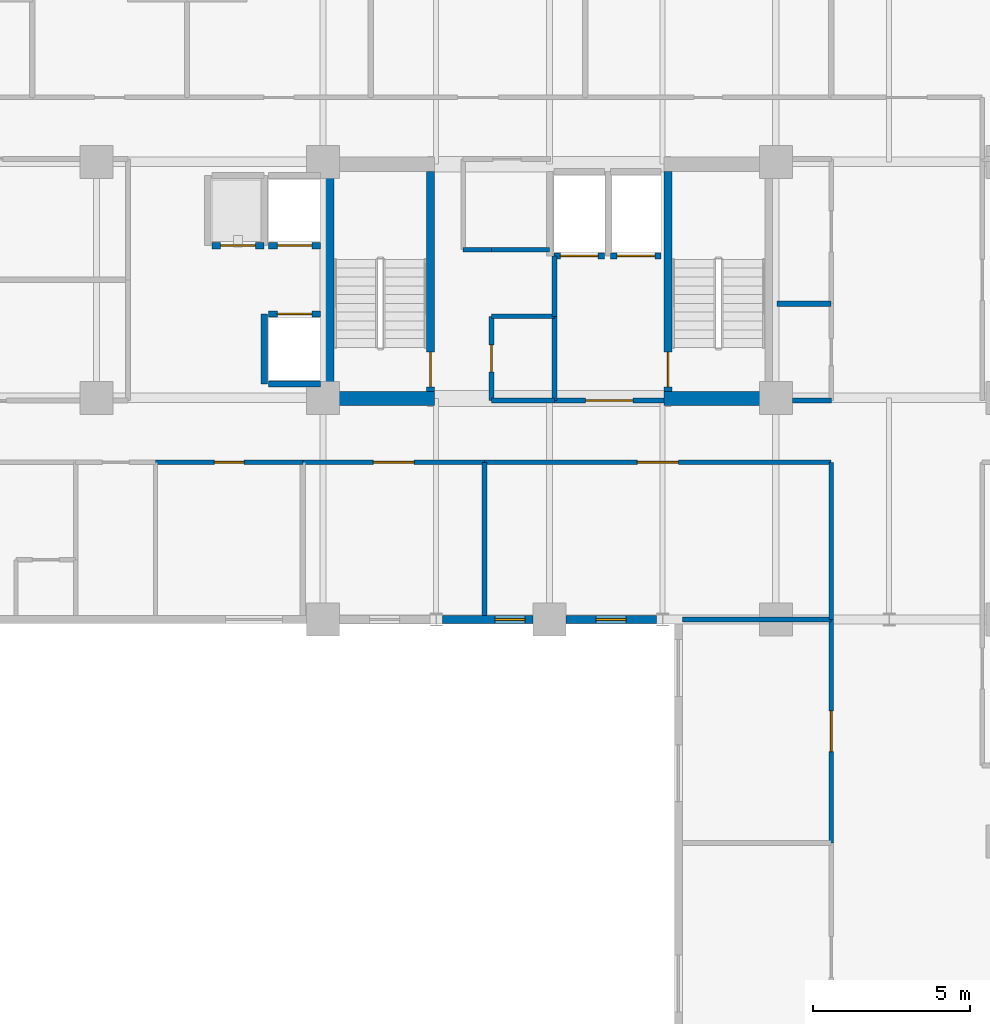
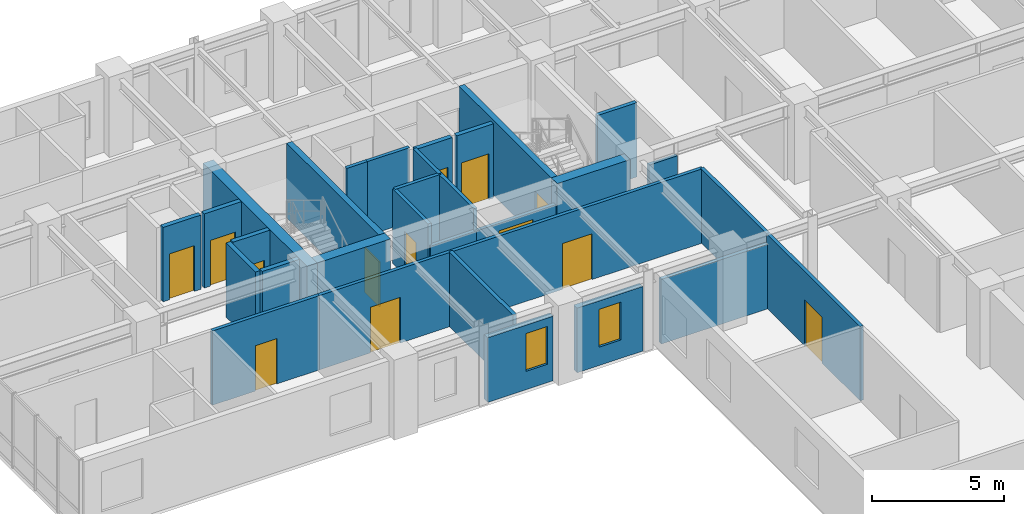
# One storey, part 11 of 20: 31 walls, 13 doors, 2 windows, 15 openings.
"""IFC4 building model written with IfcOpenShell, lengths in metres."""

from ifc_helpers import new_model, si_unit, direction, frame, frame_2d, origin, place, context, subcontext, project, spatial, rectangle, extrude, material, layer, layer_set, type_object, element, fill, save


model = new_model("IFC4")

# Units and contexts
model_context = context("Model", 3, precision=1e-05, world=origin(), true_north=direction((0.0, 1.0)))
body_context = subcontext(model_context, "Body", "Model", "MODEL_VIEW")
ifc_project = project(units=[si_unit("LENGTHUNIT", "METRE"), si_unit("AREAUNIT", "SQUARE_METRE"), si_unit("VOLUMEUNIT", "CUBIC_METRE"), si_unit("PLANEANGLEUNIT", "RADIAN"), si_unit("MASSUNIT", "GRAM", prefix="KILO")], contexts=[model_context])

# Site, building, storey
site_placement = place(None, origin())
site = spatial("IfcSite", under=ifc_project, at=site_placement, CompositionType="ELEMENT")
building_placement = place(site_placement, origin())
building = spatial("IfcBuilding", under=site, at=building_placement, Name="Kaliganga Portal Commons", CompositionType="ELEMENT")
storey_placement = place(building_placement, frame((0.0, 0.0, 155.0)))
storey = spatial("IfcBuildingStorey", under=building, at=storey_placement, Name="L39", CompositionType="ELEMENT", Elevation=155.0)

# Walls
ifc_material_1 = material(Name="Concrete C60/75", Category="concrete")
ifc_layer_1 = layer(ifc_material_1, 0.449951171875)
ifc_layer_set_1 = layer_set([ifc_layer_1], Name="Concrete C60/75")
wall_type_1 = type_object("IfcWallType", Name="WL-CORE-450", PredefinedType="SHEAR", material=ifc_layer_set_1)
wall_1_placement = place(storey_placement, frame((14.52490234375, 28.39990234375, 0.0), z_axis=(0.0, 0.0, 1.0), x_axis=(0.0, 1.0, 0.0)))
element("IfcWall", 1, at=wall_1_placement, inside=storey, type_object=wall_type_1, Name="Core A West Shear Wall L39", PredefinedType="SHEAR", context=body_context, shape_type="SweptSolid", body=[
    extrude(rectangle(XDim=7.900146484375, YDim=0.449951171875, at=frame_2d((3.9501953125, 0.0))), origin(), (0.0, 0.0, 1.0), 3.4599609375),
])
for number, where, z_axis, x_axis, name in (
    (2, (14.75, 28.625, 0.0), (0.0, 0.0, 1.0), (1.0, 0.0, 0.0), "Core A S-West Shear Wall L39"),
    (3, (25.25, 28.625, 0.0), (0.0, 0.0, 1.0), (1.0, 0.0, 0.0), "Core A S-East Shear Wall L39"),
):
    element("IfcWall", number, at=place(storey_placement, frame(where, z_axis=z_axis, x_axis=x_axis)), inside=storey, type_object=wall_type_1, Name=name, PredefinedType="SHEAR", context=body_context, shape_type="SweptSolid", body=[
        extrude(rectangle(XDim=3.199951171875, YDim=0.449951171875, at=frame_2d((1.60009765625, 0.0))), origin(), (0.0, 0.0, 1.0), 3.4599609375),
    ])

# Wall, opening, window
ifc_material_2 = material(Name="Insulated Aluminium-Clad Spandrel Assembly", Category="aluminium")
ifc_layer_2 = layer(ifc_material_2, 0.260009765625)
ifc_layer_set_2 = layer_set([ifc_layer_2], Name="Insulated Aluminium-Clad Spandrel Assembly")
wall_type_2 = type_object("IfcWallType", Name="WL-EXT-SPAND-260", PredefinedType="STANDARD", material=ifc_layer_set_2)
wall_2_placement = place(storey_placement, frame((21.073974609375, 21.60009765625, 0.0), z_axis=(0.0, 0.0, 1.0), x_axis=(-1.0, 0.0, 0.0)))
wall_2 = element("IfcWall", 4, at=wall_2_placement, inside=storey, type_object=wall_type_2, Name="Exterior Envelope Wall L39 P1-E04-S3", PredefinedType="STANDARD", context=body_context, shape_type="SweptSolid", body=[
    extrude(rectangle(XDim=2.87109375, YDim=0.260009765625, at=frame_2d((1.435546875, 0.0))), origin(), (0.0, 0.0, 1.0), 2.989990234375),
])
opening_1_placement = place(wall_2_placement, frame((0.24853515625, 0.0, 0.85009765625)))
opening_1 = element("IfcOpeningElement", 5, at=opening_1_placement, cuts=wall_2, Name="Opening W-04", PredefinedType="OPENING", context=body_context, shape_type="SweptSolid", body=[
    extrude(rectangle(XDim=0.949951171875, YDim=1.75, at=frame_2d((0.47509765625, 0.875))), frame((0.0, 0.14013671875, 0.0), z_axis=(0.0, -1.0, 0.0), x_axis=(1.0, 0.0, 0.0)), (0.0, 0.0, 1.0), 0.280029296875),
])
ifc_material_3 = material(Name="Thermally Broken Aluminium and Low-E Double Glazing", Category="aluminium")
window_type = type_object("IfcWindowType", Name="WIN-NARROW-950", PartitioningType="SINGLE_PANEL", PredefinedType="WINDOW", material=ifc_material_3)
window_1_placement = place(opening_1_placement, origin())
window_1 = element("IfcWindow", 6, at=window_1_placement, inside=storey, type_object=window_type, Name="Facade Window L39-P1E04S3-N1", OverallHeight=1.75, OverallWidth=0.949951171875, PartitioningType="SINGLE_PANEL", PredefinedType="WINDOW", context=body_context, shape_type="SweptSolid", body=[
    extrude(rectangle(XDim=0.949951171875, YDim=1.75, at=frame_2d((0.47509765625, 0.875))), frame((0.0, 0.030029296875, 0.0), z_axis=(0.0, -1.0, 0.0), x_axis=(1.0, 0.0, 0.0)), (0.0, 0.0, 1.0), 0.06005859375),
])
fill(opening_1, window_1)

wall_3_placement = place(storey_placement, frame((24.9970703125, 21.60009765625, 0.0), z_axis=(0.0, 0.0, 1.0), x_axis=(-1.0, 0.0, 0.0)))
wall_3 = element("IfcWall", 7, at=wall_3_placement, inside=storey, type_object=wall_type_2, Name="Exterior Envelope Wall L39 P1-E04-S4", PredefinedType="STANDARD", context=body_context, shape_type="SweptSolid", body=[
    extrude(rectangle(XDim=2.87109375, YDim=0.260009765625, at=frame_2d((1.435546875, 0.0))), origin(), (0.0, 0.0, 1.0), 2.989990234375),
])
opening_2_placement = place(wall_3_placement, frame((0.96044921875, 0.0, 0.85009765625)))
opening_2 = element("IfcOpeningElement", 8, at=opening_2_placement, cuts=wall_3, Name="Opening W-04", PredefinedType="OPENING", context=body_context, shape_type="SweptSolid", body=[
    extrude(rectangle(XDim=0.949951171875, YDim=1.75, at=frame_2d((0.47509765625, 0.875))), frame((0.0, 0.14013671875, 0.0), z_axis=(0.0, -1.0, 0.0), x_axis=(1.0, 0.0, 0.0)), (0.0, 0.0, 1.0), 0.280029296875),
])
window_2_placement = place(opening_2_placement, origin())
window_2 = element("IfcWindow", 9, at=window_2_placement, inside=storey, type_object=window_type, Name="Facade Window L39-P1E04S4-00", OverallHeight=1.75, OverallWidth=0.949951171875, PartitioningType="SINGLE_PANEL", PredefinedType="WINDOW", context=body_context, shape_type="SweptSolid", body=[
    extrude(rectangle(XDim=0.949951171875, YDim=1.75, at=frame_2d((0.47509765625, 0.875))), frame((0.0, 0.030029296875, 0.0), z_axis=(0.0, -1.0, 0.0), x_axis=(1.0, 0.0, 0.0)), (0.0, 0.0, 1.0), 0.06005859375),
])
fill(opening_2, window_2)

# Wall, opening, door
ifc_material_4 = material(Name="Fire-Rated Gypsum Board on Steel Stud", Category="steel")
ifc_layer_3 = layer(ifc_material_4, 0.14990234375)
ifc_layer_set_3 = layer_set([ifc_layer_3], Name="Fire-Rated Gypsum Board on Steel Stud")
wall_type_3 = type_object("IfcWallType", Name="WL-PART-CORR-150", PredefinedType="PARTITIONING", material=ifc_layer_set_3)
wall_4_placement = place(storey_placement, frame((19.5400390625, 26.60009765625, 0.0), z_axis=(0.0, 0.0, 1.0), x_axis=(1.0, 0.0, 0.0)))
wall_4 = element("IfcWall", 10, at=wall_4_placement, inside=storey, type_object=wall_type_3, Name="Interior Partition L39-012", PredefinedType="PARTITIONING", context=body_context, shape_type="SweptSolid", body=[
    extrude(rectangle(XDim=11.02001953125, YDim=0.14990234375, at=frame_2d((5.510009765625, 0.0))), origin(), (0.0, 0.0, 1.0), 3.43994140625),
])
opening_3_placement = place(wall_4_placement, frame((4.860107421875, 0.0, 0.0)))
opening_3 = element("IfcOpeningElement", 11, at=opening_3_placement, cuts=wall_4, Name="Opening RD-03", PredefinedType="OPENING", context=body_context, shape_type="SweptSolid", body=[
    extrude(rectangle(XDim=1.300048828125, YDim=2.1201171875, at=frame_2d((0.64990234375, 1.06005859375))), frame((0.0, 0.0849609375, 0.0), z_axis=(0.0, -1.0, 0.0), x_axis=(1.0, 0.0, 0.0)), (0.0, 0.0, 1.0), 0.169921875),
])
ifc_material_5 = material(Name="Glazed Timber Seminar Vision Door", Category="wood")
door_type_1 = type_object("IfcDoorType", Name="DR-STUDY-1300", OperationType="DOUBLE_DOOR_SINGLE_SWING", PredefinedType="DOOR", material=ifc_material_5)
door_1_placement = place(opening_3_placement, origin())
door_1 = element("IfcDoor", 12, at=door_1_placement, inside=storey, type_object=door_type_1, Name="Interior Door L39-AS05", OperationType="DOUBLE_DOOR_SINGLE_SWING", OverallHeight=2.1201171875, OverallWidth=1.300048828125, PredefinedType="DOOR", context=body_context, shape_type="SweptSolid", body=[
    extrude(rectangle(XDim=1.300048828125, YDim=2.1201171875, at=frame_2d((0.64990234375, 1.06005859375))), frame((0.0, 0.02490234375, 0.0), z_axis=(0.0, -1.0, 0.0), x_axis=(1.0, 0.0, 0.0)), (0.0, 0.0, 1.0), 0.050048828125),
])
fill(opening_3, door_1)

wall_5_placement = place(storey_placement, frame((30.56005859375, 14.5, 0.0), z_axis=(0.0, 0.0, 1.0), x_axis=(0.0, 1.0, 0.0)))
wall_5 = element("IfcWall", 13, at=wall_5_placement, inside=storey, type_object=wall_type_3, Name="Interior Partition L39-024", PredefinedType="PARTITIONING", context=body_context, shape_type="SweptSolid", body=[
    extrude(rectangle(XDim=7.10009765625, YDim=0.14990234375, at=frame_2d((3.550048828125, 0.0))), origin(), (0.0, 0.0, 1.0), 3.43994140625),
])
opening_4_placement = place(wall_5_placement, frame((2.89990234375, 0.0, 0.0)))
opening_4 = element("IfcOpeningElement", 14, at=opening_4_placement, cuts=wall_5, Name="Opening RD-03", PredefinedType="OPENING", context=body_context, shape_type="SweptSolid", body=[
    extrude(rectangle(XDim=1.300048828125, YDim=2.1201171875, at=frame_2d((0.64990234375, 1.06005859375))), frame((0.0, 0.0849609375, 0.0), z_axis=(0.0, -1.0, 0.0), x_axis=(1.0, 0.0, 0.0)), (0.0, 0.0, 1.0), 0.169921875),
])
door_2_placement = place(opening_4_placement, origin())
door_2 = element("IfcDoor", 15, at=door_2_placement, inside=storey, type_object=door_type_1, Name="Interior Door L39-KW02", OperationType="DOUBLE_DOOR_SINGLE_SWING", OverallHeight=2.1201171875, OverallWidth=1.300048828125, PredefinedType="DOOR", context=body_context, shape_type="SweptSolid", body=[
    extrude(rectangle(XDim=1.300048828125, YDim=2.1201171875, at=frame_2d((0.64990234375, 1.06005859375))), frame((0.0, 0.02490234375, 0.0), z_axis=(0.0, -1.0, 0.0), x_axis=(1.0, 0.0, 0.0)), (0.0, 0.0, 1.0), 0.050048828125),
])
fill(opening_4, door_2)

wall_6_placement = place(storey_placement, frame((13.760009765625, 26.60009765625, 0.0), z_axis=(0.0, 0.0, 1.0), x_axis=(1.0, 0.0, 0.0)))
wall_6 = element("IfcWall", 16, at=wall_6_placement, inside=storey, type_object=wall_type_3, Name="Interior Partition L39-030", PredefinedType="PARTITIONING", context=body_context, shape_type="SweptSolid", body=[
    extrude(rectangle(XDim=5.780029296875, YDim=0.14990234375, at=frame_2d((2.89013671875, 0.0))), origin(), (0.0, 0.0, 1.0), 3.43994140625),
])
opening_5_placement = place(wall_6_placement, frame((2.239990234375, 0.0, 0.0)))
opening_5 = element("IfcOpeningElement", 17, at=opening_5_placement, cuts=wall_6, Name="Opening RD-03", PredefinedType="OPENING", context=body_context, shape_type="SweptSolid", body=[
    extrude(rectangle(XDim=1.300048828125, YDim=2.1201171875, at=frame_2d((0.64990234375, 1.06005859375))), frame((0.0, 0.0849609375, 0.0), z_axis=(0.0, -1.0, 0.0), x_axis=(1.0, 0.0, 0.0)), (0.0, 0.0, 1.0), 0.169921875),
])
door_3_placement = place(opening_5_placement, origin())
door_3 = element("IfcDoor", 18, at=door_3_placement, inside=storey, type_object=door_type_1, Name="Interior Door L39-AS04", OperationType="DOUBLE_DOOR_SINGLE_SWING", OverallHeight=2.1201171875, OverallWidth=1.300048828125, PredefinedType="DOOR", context=body_context, shape_type="SweptSolid", body=[
    extrude(rectangle(XDim=1.300048828125, YDim=2.1201171875, at=frame_2d((0.64990234375, 1.06005859375))), frame((0.0, 0.02490234375, 0.0), z_axis=(0.0, -1.0, 0.0), x_axis=(1.0, 0.0, 0.0)), (0.0, 0.0, 1.0), 0.050048828125),
])
fill(opening_5, door_3)

# Wall
wall_7_placement = place(storey_placement, frame((30.56005859375, 21.60009765625, 0.0), z_axis=(0.0, 0.0, 1.0), x_axis=(0.0, 1.0, 0.0)))
element("IfcWall", 19, at=wall_7_placement, inside=storey, type_object=wall_type_3, Name="Interior Partition L39-035", PredefinedType="PARTITIONING", context=body_context, shape_type="SweptSolid", body=[
    extrude(rectangle(XDim=5.0, YDim=0.14990234375, at=frame_2d((2.5, 0.0))), origin(), (0.0, 0.0, 1.0), 3.43994140625),
])

# Wall, opening, door
wall_8_placement = place(storey_placement, frame((9.080078125, 26.60009765625, 0.0), z_axis=(0.0, 0.0, 1.0), x_axis=(1.0, 0.0, 0.0)))
wall_8 = element("IfcWall", 20, at=wall_8_placement, inside=storey, type_object=wall_type_3, Name="Interior Partition L39-041", PredefinedType="PARTITIONING", context=body_context, shape_type="SweptSolid", body=[
    extrude(rectangle(XDim=4.679931640625, YDim=0.14990234375, at=frame_2d((2.33984375, 0.0))), origin(), (0.0, 0.0, 1.0), 3.43994140625),
])
opening_6_placement = place(wall_8_placement, frame((1.864990234375, 0.0, 0.0)))
opening_6 = element("IfcOpeningElement", 21, at=opening_6_placement, cuts=wall_8, Name="Opening UD-01", PredefinedType="OPENING", context=body_context, shape_type="SweptSolid", body=[
    extrude(rectangle(XDim=0.949951171875, YDim=2.10009765625, at=frame_2d((0.47509765625, 1.050048828125))), frame((0.0, 0.0849609375, 0.0), z_axis=(0.0, -1.0, 0.0), x_axis=(1.0, 0.0, 0.0)), (0.0, 0.0, 1.0), 0.169921875),
])
ifc_material_6 = material(Name="Solid-Core Timber Acoustic Fire Door", Category="wood")
door_type_2 = type_object("IfcDoorType", Name="DR-UNIT-950", OperationType="NOTDEFINED", PredefinedType="DOOR", material=ifc_material_6)
door_4_placement = place(opening_6_placement, origin())
door_4 = element("IfcDoor", 22, at=door_4_placement, inside=storey, type_object=door_type_2, Name="Interior Door L39-AS03", OperationType="SINGLE_SWING_RIGHT", OverallHeight=2.10009765625, OverallWidth=0.949951171875, PredefinedType="DOOR", context=body_context, shape_type="SweptSolid", body=[
    extrude(rectangle(XDim=0.949951171875, YDim=2.10009765625, at=frame_2d((0.47509765625, 1.050048828125))), frame((0.0, 0.02490234375, 0.0), z_axis=(0.0, -1.0, 0.0), x_axis=(1.0, 0.0, 0.0)), (0.0, 0.0, 1.0), 0.050048828125),
])
fill(opening_6, door_4)

wall_9_placement = place(storey_placement, frame((19.760009765625, 28.56005859375, 0.0), z_axis=(0.0, 0.0, 1.0), x_axis=(0.0, 1.0, 0.0)))
wall_9 = element("IfcWall", 23, at=wall_9_placement, inside=storey, type_object=wall_type_3, Name="Interior Partition L39-058", PredefinedType="PARTITIONING", context=body_context, shape_type="SweptSolid", body=[
    extrude(rectangle(XDim=2.679931640625, YDim=0.14990234375, at=frame_2d((1.33984375, 0.0))), origin(), (0.0, 0.0, 1.0), 3.43994140625),
])
opening_7_placement = place(wall_9_placement, frame((0.909912109375, 0.0, 0.0)))
opening_7 = element("IfcOpeningElement", 24, at=opening_7_placement, cuts=wall_9, Name="Opening WD-02", PredefinedType="OPENING", context=body_context, shape_type="SweptSolid", body=[
    extrude(rectangle(XDim=0.860107421875, YDim=2.02001953125, at=frame_2d((0.43017578125, 1.010009765625))), frame((0.0, 0.0849609375, 0.0), z_axis=(0.0, -1.0, 0.0), x_axis=(1.0, 0.0, 0.0)), (0.0, 0.0, 1.0), 0.169921875),
])
ifc_material_7 = material(Name="Fire-Rated Utility Closet Door", Category="wood")
door_type_3 = type_object("IfcDoorType", Name="DR-STORE-800", OperationType="NOTDEFINED", PredefinedType="DOOR", material=ifc_material_7)
door_5_placement = place(opening_7_placement, origin())
door_5 = element("IfcDoor", 25, at=door_5_placement, inside=storey, type_object=door_type_3, Name="Interior Door L39-CIN_A1", OperationType="SINGLE_SWING_RIGHT", OverallHeight=2.02001953125, OverallWidth=0.860107421875, PredefinedType="DOOR", context=body_context, shape_type="SweptSolid", body=[
    extrude(rectangle(XDim=0.860107421875, YDim=2.02001953125, at=frame_2d((0.43017578125, 1.010009765625))), frame((0.0, 0.02490234375, 0.0), z_axis=(0.0, -1.0, 0.0), x_axis=(1.0, 0.0, 0.0)), (0.0, 0.0, 1.0), 0.050048828125),
])
fill(opening_7, door_5)

# Walls
wall_10_placement = place(storey_placement, frame((21.760009765625, 28.56005859375, 0.0), z_axis=(0.0, 0.0, 1.0), x_axis=(0.0, 1.0, 0.0)))
element("IfcWall", 26, at=wall_10_placement, inside=storey, type_object=wall_type_3, Name="Interior Partition L39-059", PredefinedType="PARTITIONING", context=body_context, shape_type="SweptSolid", body=[
    extrude(rectangle(XDim=2.679931640625, YDim=0.14990234375, at=frame_2d((1.33984375, 0.0))), origin(), (0.0, 0.0, 1.0), 3.43994140625),
])
wall_11_placement = place(storey_placement, frame((19.760009765625, 28.56005859375, 0.0), z_axis=(0.0, 0.0, 1.0), x_axis=(1.0, 0.0, 0.0)))
element("IfcWall", 27, at=wall_11_placement, inside=storey, type_object=wall_type_3, Name="Interior Partition L39-061", PredefinedType="PARTITIONING", context=body_context, shape_type="SweptSolid", body=[
    extrude(rectangle(XDim=2.0, YDim=0.14990234375, at=frame_2d((1.0, 0.0))), origin(), (0.0, 0.0, 1.0), 2.43994140625),
])
wall_12_placement = place(storey_placement, frame((19.760009765625, 31.239990234375, 0.0), z_axis=(0.0, 0.0, 1.0), x_axis=(1.0, 0.0, 0.0)))
element("IfcWall", 28, at=wall_12_placement, inside=storey, type_object=wall_type_3, Name="Interior Partition L39-062", PredefinedType="PARTITIONING", context=body_context, shape_type="SweptSolid", body=[
    extrude(rectangle(XDim=2.0, YDim=0.14990234375, at=frame_2d((1.0, 0.0))), origin(), (0.0, 0.0, 1.0), 3.43994140625),
])
wall_13_placement = place(storey_placement, frame((19.760009765625, 33.360107421875, 0.0), z_axis=(0.0, 0.0, 1.0), x_axis=(1.0, 0.0, 0.0)))
element("IfcWall", 29, at=wall_13_placement, inside=storey, type_object=wall_type_3, Name="Interior Partition L39-064", PredefinedType="PARTITIONING", context=body_context, shape_type="SweptSolid", body=[
    extrude(rectangle(XDim=1.85009765625, YDim=0.14990234375, at=frame_2d((0.925048828125, 0.0))), origin(), (0.0, 0.0, 1.0), 3.43994140625),
])
wall_14_placement = place(storey_placement, frame((29.324951171875, 28.56005859375, 0.0), z_axis=(0.0, 0.0, 1.0), x_axis=(1.0, 0.0, 0.0)))
element("IfcWall", 30, at=wall_14_placement, inside=storey, type_object=wall_type_3, Name="Interior Partition L39-065", PredefinedType="PARTITIONING", context=body_context, shape_type="SweptSolid", body=[
    extrude(rectangle(XDim=1.235107421875, YDim=0.14990234375, at=frame_2d((0.61767578125, 0.0))), origin(), (0.0, 0.0, 1.0), 2.840087890625),
])
wall_15_placement = place(storey_placement, frame((18.860107421875, 33.360107421875, 0.0), z_axis=(0.0, 0.0, 1.0), x_axis=(1.0, 0.0, 0.0)))
element("IfcWall", 31, at=wall_15_placement, inside=storey, type_object=wall_type_3, Name="Interior Partition L39-067", PredefinedType="PARTITIONING", context=body_context, shape_type="SweptSolid", body=[
    extrude(rectangle(XDim=0.89990234375, YDim=0.14990234375, at=frame_2d((0.449951171875, 0.0))), origin(), (0.0, 0.0, 1.0), 3.43994140625),
])

# Wall, opening, door
wall_16_placement = place(storey_placement, frame((21.760009765625, 28.56005859375, 0.0), z_axis=(0.0, 0.0, 1.0), x_axis=(1.0, 0.0, 0.0)))
wall_16 = element("IfcWall", 32, at=wall_16_placement, inside=storey, type_object=wall_type_3, Name="Interior Partition L39-088", PredefinedType="PARTITIONING", context=body_context, shape_type="SweptSolid", body=[
    extrude(rectangle(XDim=3.47998046875, YDim=0.14990234375, at=frame_2d((1.739990234375, 0.0))), origin(), (0.0, 0.0, 1.0), 2.43994140625),
])
opening_8_placement = place(wall_16_placement, frame((0.989990234375, 0.0, 0.0)))
opening_8 = element("IfcOpeningElement", 33, at=opening_8_placement, cuts=wall_16, Name="Opening FD-01", PredefinedType="OPENING", context=body_context, shape_type="SweptSolid", body=[
    extrude(rectangle(XDim=1.5, YDim=2.10009765625, at=frame_2d((0.75, 1.050048828125))), frame((0.0, 0.0849609375, 0.0), z_axis=(0.0, -1.0, 0.0), x_axis=(1.0, 0.0, 0.0)), (0.0, 0.0, 1.0), 0.169921875),
])
ifc_material_8 = material(Name="Fire-Rated Hardwood and Georgian-Wired Vision Panel", Category="wood")
door_type_4 = type_object("IfcDoorType", Name="DR-LOBBY-1500", OperationType="DOUBLE_DOOR_SINGLE_SWING", PredefinedType="DOOR", material=ifc_material_8)
door_6_placement = place(opening_8_placement, origin())
door_6 = element("IfcDoor", 34, at=door_6_placement, inside=storey, type_object=door_type_4, Name="Interior Door L39-FFLOB_A", OperationType="DOUBLE_DOOR_SINGLE_SWING", OverallHeight=2.10009765625, OverallWidth=1.5, PredefinedType="DOOR", context=body_context, shape_type="SweptSolid", body=[
    extrude(rectangle(XDim=1.5, YDim=2.10009765625, at=frame_2d((0.75, 1.050048828125))), frame((0.0, 0.02490234375, 0.0), z_axis=(0.0, -1.0, 0.0), x_axis=(1.0, 0.0, 0.0)), (0.0, 0.0, 1.0), 0.050048828125),
])
fill(opening_8, door_6)

# Walls
wall_17_placement = place(storey_placement, frame((21.760009765625, 31.239990234375, 0.0), z_axis=(0.0, 0.0, 1.0), x_axis=(0.0, 1.0, 0.0)))
element("IfcWall", 35, at=wall_17_placement, inside=storey, type_object=wall_type_3, Name="Interior Partition L39-094", PredefinedType="PARTITIONING", context=body_context, shape_type="SweptSolid", body=[
    extrude(rectangle(XDim=1.919921875, YDim=0.14990234375, at=frame_2d((0.9599609375, 0.0))), origin(), (0.0, 0.0, 1.0), 3.43994140625),
])
ifc_material_9 = material(Name="Twin-Stud Acoustic Gypsum Partition", Category="gypsum")
ifc_layer_4 = layer(ifc_material_9, 0.1650390625)
ifc_layer_set_4 = layer_set([ifc_layer_4], Name="Twin-Stud Acoustic Gypsum Partition")
wall_type_4 = type_object("IfcWallType", Name="WL-PART-UNIT-165", PredefinedType="PARTITIONING", material=ifc_layer_set_4)
wall_18_placement = place(storey_placement, frame((19.5400390625, 21.73193359375, 0.0), z_axis=(0.0, 0.0, 1.0), x_axis=(0.0, 1.0, 0.0)))
element("IfcWall", 36, at=wall_18_placement, inside=storey, type_object=wall_type_4, Name="Interior Partition L39-079", PredefinedType="PARTITIONING", context=body_context, shape_type="SweptSolid", body=[
    extrude(rectangle(XDim=4.8681640625, YDim=0.1650390625, at=frame_2d((2.43408203125, 0.0))), origin(), (0.0, 0.0, 1.0), 3.43994140625),
])
wall_19_placement = place(storey_placement, frame((25.83203125, 21.60009765625, 0.0), z_axis=(0.0, 0.0, 1.0), x_axis=(1.0, 0.0, 0.0)))
element("IfcWall", 37, at=wall_19_placement, inside=storey, type_object=wall_type_4, Name="Interior Partition L39-083", PredefinedType="PARTITIONING", context=body_context, shape_type="SweptSolid", body=[
    extrude(rectangle(XDim=4.72802734375, YDim=0.1650390625, at=frame_2d((2.364013671875, 0.0))), origin(), (0.0, 0.0, 1.0), 2.989990234375),
])
wall_20_placement = place(storey_placement, frame((28.840087890625, 31.639892578125, 0.0), z_axis=(0.0, 0.0, 1.0), x_axis=(1.0, 0.0, 0.0)))
element("IfcWall", 38, at=wall_20_placement, inside=storey, type_object=wall_type_4, Name="Interior Partition L39-095", PredefinedType="PARTITIONING", context=body_context, shape_type="SweptSolid", body=[
    extrude(rectangle(XDim=1.719970703125, YDim=0.1650390625, at=frame_2d((0.85986328125, 0.0))), origin(), (0.0, 0.0, 1.0), 3.43994140625),
])

# Wall, opening, door
ifc_material_10 = material(Name="Fire-Rated Shaftwall Masonry Assembly", Category="masonry")
ifc_layer_5 = layer(ifc_material_10, 0.199951171875)
ifc_layer_set_5 = layer_set([ifc_layer_5], Name="Fire-Rated Shaftwall Masonry Assembly")
wall_type_5 = type_object("IfcWallType", Name="WL-SHAFT-200", PredefinedType="PARTITIONING", material=ifc_layer_set_5)
wall_21_placement = place(storey_placement, frame((12.675048828125, 33.485107421875, 0.0), z_axis=(0.0, 0.0, 1.0), x_axis=(1.0, 0.0, 0.0)))
wall_21 = element("IfcWall", 39, at=wall_21_placement, inside=storey, type_object=wall_type_5, Name="Lift PL-A3 Hoistway Shaft Wall L39-S", PredefinedType="PARTITIONING", context=body_context, shape_type="SweptSolid", body=[
    extrude(rectangle(XDim=1.64990234375, YDim=0.199951171875, at=frame_2d((0.824951171875, 0.0))), origin(), (0.0, 0.0, 1.0), 3.43994140625),
])
opening_9_placement = place(wall_21_placement, frame((0.27490234375, 0.0, 0.0)))
opening_9 = element("IfcOpeningElement", 40, at=opening_9_placement, cuts=wall_21, Name="Opening LD-01", PredefinedType="OPENING", context=body_context, shape_type="SweptSolid", body=[
    extrude(rectangle(XDim=1.10009765625, YDim=2.1201171875, at=frame_2d((0.550048828125, 1.06005859375))), frame((0.0, 0.10986328125, 0.0), z_axis=(0.0, -1.0, 0.0), x_axis=(1.0, 0.0, 0.0)), (0.0, 0.0, 1.0), 0.219970703125),
])
ifc_material_11 = material(Name="Brushed Stainless Steel 316 Lift Landing Door", Category="steel")
door_type_5 = type_object("IfcDoorType", Name="DR-LIFT-1100", OperationType="SLIDING_TO_LEFT", PredefinedType="DOOR", material=ifc_material_11)
door_7_placement = place(opening_9_placement, origin())
door_7 = element("IfcDoor", 41, at=door_7_placement, inside=storey, type_object=door_type_5, Name="Lift PL-A3 Sliding Landing Door L39", OperationType="SLIDING_TO_LEFT", OverallHeight=2.1201171875, OverallWidth=1.10009765625, PredefinedType="DOOR", context=body_context, shape_type="SweptSolid", body=[
    extrude(rectangle(XDim=1.10009765625, YDim=2.1201171875, at=frame_2d((0.550048828125, 1.06005859375))), frame((0.0, 0.02490234375, 0.0), z_axis=(0.0, -1.0, 0.0), x_axis=(1.0, 0.0, 0.0)), (0.0, 0.0, 1.0), 0.050048828125),
])
fill(opening_9, door_7)

# Wall
wall_22_placement = place(storey_placement, frame((12.675048828125, 29.0849609375, 0.0), z_axis=(0.0, 0.0, 1.0), x_axis=(1.0, 0.0, 0.0)))
element("IfcWall", 42, at=wall_22_placement, inside=storey, type_object=wall_type_5, Name="Lift PL-A4 Hoistway Shaft Wall L39-S", PredefinedType="PARTITIONING", context=body_context, shape_type="SweptSolid", body=[
    extrude(rectangle(XDim=1.64990234375, YDim=0.199951171875, at=frame_2d((0.824951171875, 0.0))), origin(), (0.0, 0.0, 1.0), 3.43994140625),
])

# Wall, opening, door
wall_23_placement = place(storey_placement, frame((12.675048828125, 31.31494140625, 0.0), z_axis=(0.0, 0.0, 1.0), x_axis=(1.0, 0.0, 0.0)))
wall_23 = element("IfcWall", 43, at=wall_23_placement, inside=storey, type_object=wall_type_5, Name="Lift PL-A4 Hoistway Shaft Wall L39-N", PredefinedType="PARTITIONING", context=body_context, shape_type="SweptSolid", body=[
    extrude(rectangle(XDim=1.64990234375, YDim=0.199951171875, at=frame_2d((0.824951171875, 0.0))), origin(), (0.0, 0.0, 1.0), 3.43994140625),
])
opening_10_placement = place(wall_23_placement, frame((0.27490234375, 0.0, 0.0)))
opening_10 = element("IfcOpeningElement", 44, at=opening_10_placement, cuts=wall_23, Name="Opening LD-01", PredefinedType="OPENING", context=body_context, shape_type="SweptSolid", body=[
    extrude(rectangle(XDim=1.10009765625, YDim=2.1201171875, at=frame_2d((0.550048828125, 1.06005859375))), frame((0.0, 0.10986328125, 0.0), z_axis=(0.0, -1.0, 0.0), x_axis=(1.0, 0.0, 0.0)), (0.0, 0.0, 1.0), 0.219970703125),
])
door_8_placement = place(opening_10_placement, origin())
door_8 = element("IfcDoor", 45, at=door_8_placement, inside=storey, type_object=door_type_5, Name="Lift PL-A4 Sliding Landing Door L39", OperationType="SLIDING_TO_LEFT", OverallHeight=2.1201171875, OverallWidth=1.10009765625, PredefinedType="DOOR", context=body_context, shape_type="SweptSolid", body=[
    extrude(rectangle(XDim=1.10009765625, YDim=2.1201171875, at=frame_2d((0.550048828125, 1.06005859375))), frame((0.0, 0.02490234375, 0.0), z_axis=(0.0, -1.0, 0.0), x_axis=(1.0, 0.0, 0.0)), (0.0, 0.0, 1.0), 0.050048828125),
])
fill(opening_10, door_8)

# Wall
wall_24_placement = place(storey_placement, frame((12.534912109375, 29.0849609375, 0.0), z_axis=(0.0, 0.0, 1.0), x_axis=(0.0, 1.0, 0.0)))
element("IfcWall", 46, at=wall_24_placement, inside=storey, type_object=wall_type_5, Name="Lift PL-A4 Hoistway Shaft Wall L39-W", PredefinedType="PARTITIONING", context=body_context, shape_type="SweptSolid", body=[
    extrude(rectangle(XDim=2.22998046875, YDim=0.199951171875, at=frame_2d((1.114990234375, 0.0))), origin(), (0.0, 0.0, 1.0), 3.43994140625),
])

# Wall, opening, door
wall_25_placement = place(storey_placement, frame((10.875, 33.485107421875, 0.0), z_axis=(0.0, 0.0, 1.0), x_axis=(1.0, 0.0, 0.0)))
wall_25 = element("IfcWall", 47, at=wall_25_placement, inside=storey, type_object=wall_type_5, Name="Lift PL-OBS Hoistway Shaft Wall L39-S", PredefinedType="PARTITIONING", context=body_context, shape_type="SweptSolid", body=[
    extrude(rectangle(XDim=1.64990234375, YDim=0.199951171875, at=frame_2d((0.824951171875, 0.0))), origin(), (0.0, 0.0, 1.0), 3.43994140625),
])
opening_11_placement = place(wall_25_placement, frame((0.27490234375, 0.0, 0.0)))
opening_11 = element("IfcOpeningElement", 48, at=opening_11_placement, cuts=wall_25, Name="Opening LD-01", PredefinedType="OPENING", context=body_context, shape_type="SweptSolid", body=[
    extrude(rectangle(XDim=1.10009765625, YDim=2.1201171875, at=frame_2d((0.550048828125, 1.06005859375))), frame((0.0, 0.10986328125, 0.0), z_axis=(0.0, -1.0, 0.0), x_axis=(1.0, 0.0, 0.0)), (0.0, 0.0, 1.0), 0.219970703125),
])
door_9_placement = place(opening_11_placement, origin())
door_9 = element("IfcDoor", 49, at=door_9_placement, inside=storey, type_object=door_type_5, Name="Lift PL-OBS Sliding Landing Door L39", OperationType="SLIDING_TO_LEFT", OverallHeight=2.1201171875, OverallWidth=1.10009765625, PredefinedType="DOOR", context=body_context, shape_type="SweptSolid", body=[
    extrude(rectangle(XDim=1.10009765625, YDim=2.1201171875, at=frame_2d((0.550048828125, 1.06005859375))), frame((0.0, 0.02490234375, 0.0), z_axis=(0.0, -1.0, 0.0), x_axis=(1.0, 0.0, 0.0)), (0.0, 0.0, 1.0), 0.050048828125),
])
fill(opening_11, door_9)

wall_26_placement = place(storey_placement, frame((21.75, 33.159912109375, 0.0), z_axis=(0.0, 0.0, 1.0), x_axis=(1.0, 0.0, 0.0)))
wall_26 = element("IfcWall", 50, at=wall_26_placement, inside=storey, type_object=wall_type_5, Name="Lift FFL-1 Hoistway Shaft Wall L39-S", PredefinedType="PARTITIONING", context=body_context, shape_type="SweptSolid", body=[
    extrude(rectangle(XDim=1.60009765625, YDim=0.199951171875, at=frame_2d((0.800048828125, 0.0))), origin(), (0.0, 0.0, 1.0), 3.43994140625),
])
opening_12_placement = place(wall_26_placement, frame((0.199951171875, 0.0, 0.0)))
opening_12 = element("IfcOpeningElement", 51, at=opening_12_placement, cuts=wall_26, Name="Opening LD-02", PredefinedType="OPENING", context=body_context, shape_type="SweptSolid", body=[
    extrude(rectangle(XDim=1.199951171875, YDim=2.1201171875, at=frame_2d((0.60009765625, 1.06005859375))), frame((0.0, 0.10986328125, 0.0), z_axis=(0.0, -1.0, 0.0), x_axis=(1.0, 0.0, 0.0)), (0.0, 0.0, 1.0), 0.219970703125),
])
ifc_material_12 = material(Name="Brushed Stainless Steel 316 Stretcher Lift Landing Door", Category="steel")
door_type_6 = type_object("IfcDoorType", Name="DR-LIFT-1200", OperationType="SLIDING_TO_RIGHT", PredefinedType="DOOR", material=ifc_material_12)
door_10_placement = place(opening_12_placement, origin())
door_10 = element("IfcDoor", 52, at=door_10_placement, inside=storey, type_object=door_type_6, Name="Lift FFL-1 Sliding Landing Door L39", OperationType="SLIDING_TO_RIGHT", OverallHeight=2.1201171875, OverallWidth=1.199951171875, PredefinedType="DOOR", context=body_context, shape_type="SweptSolid", body=[
    extrude(rectangle(XDim=1.199951171875, YDim=2.1201171875, at=frame_2d((0.60009765625, 1.06005859375))), frame((0.0, 0.02490234375, 0.0), z_axis=(0.0, -1.0, 0.0), x_axis=(1.0, 0.0, 0.0)), (0.0, 0.0, 1.0), 0.050048828125),
])
fill(opening_12, door_10)

wall_27_placement = place(storey_placement, frame((23.550048828125, 33.159912109375, 0.0), z_axis=(0.0, 0.0, 1.0), x_axis=(1.0, 0.0, 0.0)))
wall_27 = element("IfcWall", 53, at=wall_27_placement, inside=storey, type_object=wall_type_5, Name="Lift FFL-2 Hoistway Shaft Wall L39-S", PredefinedType="PARTITIONING", context=body_context, shape_type="SweptSolid", body=[
    extrude(rectangle(XDim=1.599853515625, YDim=0.199951171875, at=frame_2d((0.7998046875, 0.0))), origin(), (0.0, 0.0, 1.0), 3.43994140625),
])
opening_13_placement = place(wall_27_placement, frame((0.199951171875, 0.0, 0.0)))
opening_13 = element("IfcOpeningElement", 54, at=opening_13_placement, cuts=wall_27, Name="Opening LD-02", PredefinedType="OPENING", context=body_context, shape_type="SweptSolid", body=[
    extrude(rectangle(XDim=1.199951171875, YDim=2.1201171875, at=frame_2d((0.60009765625, 1.06005859375))), frame((0.0, 0.10986328125, 0.0), z_axis=(0.0, -1.0, 0.0), x_axis=(1.0, 0.0, 0.0)), (0.0, 0.0, 1.0), 0.219970703125),
])
door_11_placement = place(opening_13_placement, origin())
door_11 = element("IfcDoor", 55, at=door_11_placement, inside=storey, type_object=door_type_6, Name="Lift FFL-2 Sliding Landing Door L39", OperationType="SLIDING_TO_RIGHT", OverallHeight=2.1201171875, OverallWidth=1.199951171875, PredefinedType="DOOR", context=body_context, shape_type="SweptSolid", body=[
    extrude(rectangle(XDim=1.199951171875, YDim=2.1201171875, at=frame_2d((0.60009765625, 1.06005859375))), frame((0.0, 0.02490234375, 0.0), z_axis=(0.0, -1.0, 0.0), x_axis=(1.0, 0.0, 0.0)), (0.0, 0.0, 1.0), 0.050048828125),
])
fill(opening_13, door_11)

ifc_material_13 = material(Name="Concrete C50/60", Category="concrete")
ifc_layer_6 = layer(ifc_material_13, 0.25)
ifc_layer_set_6 = layer_set([ifc_layer_6], Name="Concrete C50/60")
wall_type_6 = type_object("IfcWallType", Name="WL-STAIR-250", PredefinedType="SHEAR", material=ifc_layer_set_6)
wall_28_placement = place(storey_placement, frame((17.824951171875, 28.85009765625, 0.0), z_axis=(0.0, 0.0, 1.0), x_axis=(0.0, 1.0, 0.0)))
wall_28 = element("IfcWall", 56, at=wall_28_placement, inside=storey, type_object=wall_type_6, Name="Stair A1 Enclosure Shear Wall L39", PredefinedType="SHEAR", context=body_context, shape_type="SweptSolid", body=[
    extrude(rectangle(XDim=7.0, YDim=0.25, at=frame_2d((3.5, 0.0))), origin(), (0.0, 0.0, 1.0), 3.4599609375),
])
opening_14_placement = place(wall_28_placement, frame((0.14990234375, 0.0, 0.0)))
opening_14 = element("IfcOpeningElement", 57, at=opening_14_placement, cuts=wall_28, Name="Opening SD-01", PredefinedType="OPENING", context=body_context, shape_type="SweptSolid", body=[
    extrude(rectangle(XDim=1.10009765625, YDim=2.080078125, at=frame_2d((0.550048828125, 1.0400390625))), frame((0.0, 0.135009765625, 0.0), z_axis=(0.0, -1.0, 0.0), x_axis=(1.0, 0.0, 0.0)), (0.0, 0.0, 1.0), 0.27001953125),
])
ifc_material_14 = material(Name="Galvanized Steel Fire Door Leaf and Frame", Category="steel")
door_type_7 = type_object("IfcDoorType", Name="DR-STAIR-1100", OperationType="NOTDEFINED", PredefinedType="DOOR", material=ifc_material_14)
door_12_placement = place(opening_14_placement, origin())
door_12 = element("IfcDoor", 58, at=door_12_placement, inside=storey, type_object=door_type_7, Name="Protected Stair ST-A1 Fire Door L39", OperationType="SINGLE_SWING_LEFT", OverallHeight=2.080078125, OverallWidth=1.10009765625, PredefinedType="DOOR", context=body_context, shape_type="SweptSolid", body=[
    extrude(rectangle(XDim=1.10009765625, YDim=2.080078125, at=frame_2d((0.550048828125, 1.0400390625))), frame((0.0, 0.02490234375, 0.0), z_axis=(0.0, -1.0, 0.0), x_axis=(1.0, 0.0, 0.0)), (0.0, 0.0, 1.0), 0.050048828125),
])
fill(opening_14, door_12)

wall_29_placement = place(storey_placement, frame((25.375, 28.85009765625, 0.0), z_axis=(0.0, 0.0, 1.0), x_axis=(0.0, 1.0, 0.0)))
wall_29 = element("IfcWall", 59, at=wall_29_placement, inside=storey, type_object=wall_type_6, Name="Stair A2 Enclosure Shear Wall L39", PredefinedType="SHEAR", context=body_context, shape_type="SweptSolid", body=[
    extrude(rectangle(XDim=7.0, YDim=0.25, at=frame_2d((3.5, 0.0))), origin(), (0.0, 0.0, 1.0), 3.4599609375),
])
opening_15_placement = place(wall_29_placement, frame((0.14990234375, 0.0, 0.0)))
opening_15 = element("IfcOpeningElement", 60, at=opening_15_placement, cuts=wall_29, Name="Opening SD-01", PredefinedType="OPENING", context=body_context, shape_type="SweptSolid", body=[
    extrude(rectangle(XDim=1.10009765625, YDim=2.080078125, at=frame_2d((0.550048828125, 1.0400390625))), frame((0.0, 0.135009765625, 0.0), z_axis=(0.0, -1.0, 0.0), x_axis=(1.0, 0.0, 0.0)), (0.0, 0.0, 1.0), 0.27001953125),
])
door_13_placement = place(opening_15_placement, origin())
door_13 = element("IfcDoor", 61, at=door_13_placement, inside=storey, type_object=door_type_7, Name="Protected Stair ST-A2 Fire Door L39", OperationType="SINGLE_SWING_RIGHT", OverallHeight=2.080078125, OverallWidth=1.10009765625, PredefinedType="DOOR", context=body_context, shape_type="SweptSolid", body=[
    extrude(rectangle(XDim=1.10009765625, YDim=2.080078125, at=frame_2d((0.550048828125, 1.0400390625))), frame((0.0, 0.02490234375, 0.0), z_axis=(0.0, -1.0, 0.0), x_axis=(1.0, 0.0, 0.0)), (0.0, 0.0, 1.0), 0.050048828125),
])
fill(opening_15, door_13)

save(model, "model.ifc")
